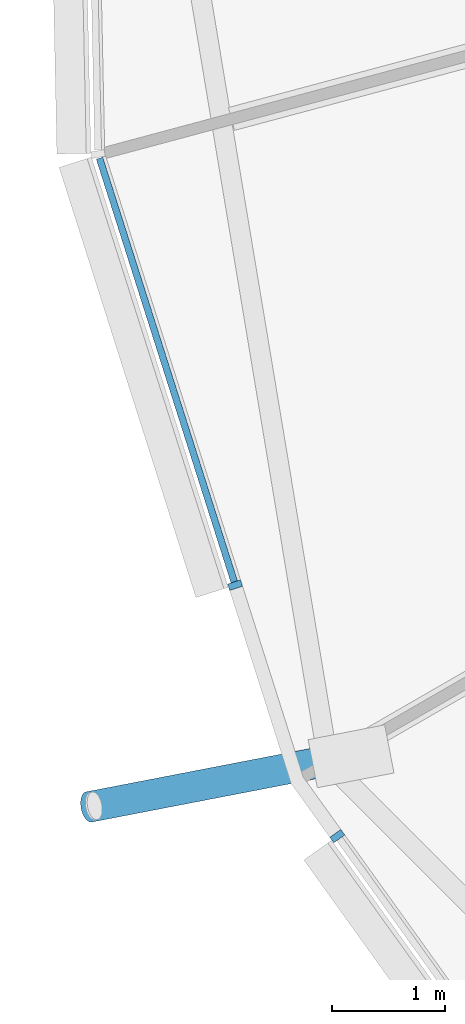
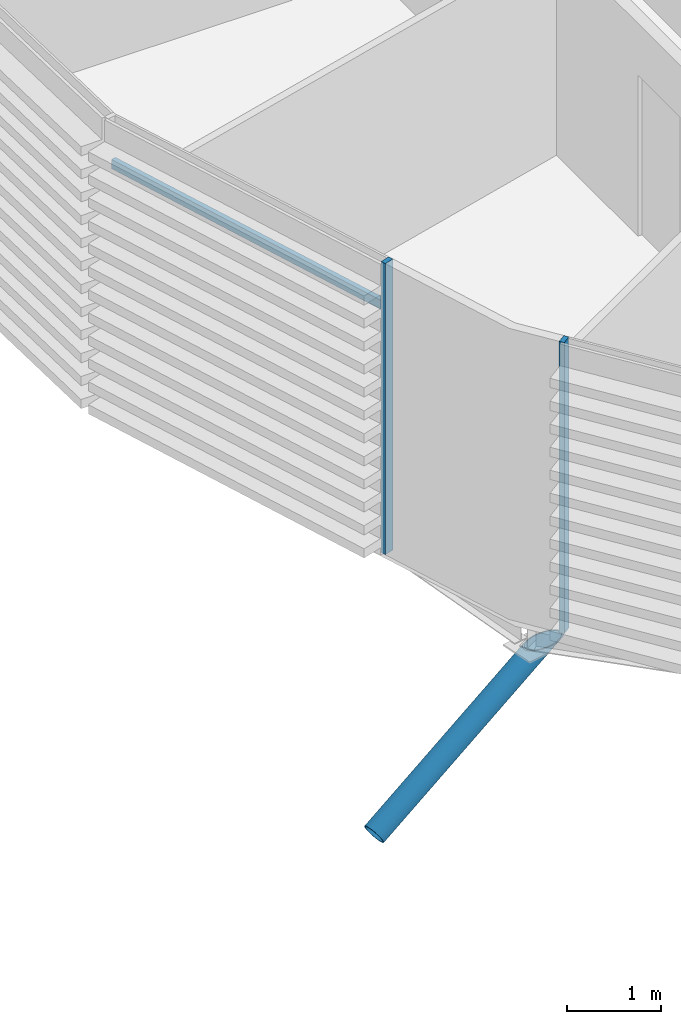
# One storey, part 7 of 37: 4 members, 1 element without a shape of its own.
"""IFC4 building model written with IfcOpenShell, lengths in metres."""

from ifc_helpers import new_model, si_unit, direction, frame, origin, origin_2d, place, context, subcontext, project, spatial, rectangle, hollow_circle, extrude, clip, halfspace, material, material_profile, profile_set, type_object, element, aggregate, save


model = new_model("IFC4")

# Units and contexts
model_context = context("Model", 3, precision=1e-05, world=origin(), true_north=direction((0.0, 1.0)))
body_context = subcontext(model_context, "Body", "Model", "MODEL_VIEW")
ifc_project = project(units=[si_unit("LENGTHUNIT", "METRE"), si_unit("AREAUNIT", "SQUARE_METRE"), si_unit("VOLUMEUNIT", "CUBIC_METRE"), si_unit("PLANEANGLEUNIT", "RADIAN"), si_unit("MASSUNIT", "GRAM", prefix="KILO")], contexts=[model_context])

# Site, building, storey
site_placement = place(None, origin())
site = spatial("IfcSite", under=ifc_project, at=site_placement, CompositionType="ELEMENT")
building_placement = place(site_placement, origin())
building = spatial("IfcBuilding", under=site, at=building_placement, Name="Rimbun Link Towers", CompositionType="ELEMENT")
storey_placement = place(building_placement, frame((0.0, 0.0, 45.199951171875)))
storey = spatial("IfcBuildingStorey", under=building, at=storey_placement, Name="L10", CompositionType="ELEMENT", Elevation=45.199951171875)

# Curtain wall, members
ifc_material_1 = material(Name="Aluminium 6063-T6 and low-iron glass", Category="aluminium")
curtain_wall_type = type_object("IfcCurtainWallType", Name="CW1 unitised vision wall", PredefinedType="NOTDEFINED", material=ifc_material_1)
curtain_wall_placement = place(storey_placement, origin())
curtain_wall = element("IfcCurtainWall", 1, at=curtain_wall_placement, inside=storey, type_object=curtain_wall_type, Name="CW1 L10 T2", PredefinedType="NOTDEFINED")
ifc_material_2 = material(Name="Aluminium 6063-T6", Category="aluminium")
ifc_material_profile_1 = material_profile(ifc_material_2, rectangle(XDim=0.1201171875, YDim=0.06005859375, at=origin_2d()), Name="MULLION 60X120")
ifc_profile_set_1 = profile_set([ifc_material_profile_1], Name="Aluminium 6063-T6")
member_type_1 = type_object("IfcMemberType", Name="CW1 mullion 60X120", PredefinedType="MULLION", material=ifc_profile_set_1)
member_1_placement = place(storey_placement, frame((11.789794921875, -9.47900390625, 0.0), z_axis=(0.0, 0.0, 1.0), x_axis=(-0.952967950316, -0.303071090127, 0.0)))
member_1 = element("IfcMember", 2, at=member_1_placement, type_object=member_type_1, Name="CW1 mullion", PredefinedType="MULLION", context=body_context, shape_type="SweptSolid", body=[
    extrude(rectangle(XDim=0.1201171875, YDim=0.06005859375, at=origin_2d()), origin(), (0.0, 0.0, 1.0), 3.800048828125),
])
member_2_placement = place(storey_placement, frame((12.693603515625, -11.698486328125, 0.0), z_axis=(0.0, 0.0, 1.0), x_axis=(-0.812475373202, -0.582995512796, 0.0)))
member_2 = element("IfcMember", 3, at=member_2_placement, type_object=member_type_1, Name="CW1 mullion", PredefinedType="MULLION", context=body_context, shape_type="SweptSolid", body=[
    extrude(rectangle(XDim=0.1201171875, YDim=0.06005859375, at=origin_2d()), origin(), (0.0, 0.0, 1.0), 3.800048828125),
])
ifc_material_3 = material(Name="Aluminium 6063-T6", Category="aluminium")
ifc_material_profile_2 = material_profile(ifc_material_3, rectangle(XDim=0.06005859375, YDim=0.1201171875, at=origin_2d()), Name="TRANSOM 60X120")
ifc_profile_set_2 = profile_set([ifc_material_profile_2], Name="Aluminium 6063-T6")
member_type_2 = type_object("IfcMemberType", Name="CW1 transom 60X120", PredefinedType="USERDEFINED", material=ifc_profile_set_2)
member_3_placement = place(storey_placement, frame((11.78271484375, -9.44970703125, 3.199951171875), z_axis=(-0.303119067088, 0.952952690939, 0.0), x_axis=(-0.952952690939, -0.303119067088, 0.0)))
member_3 = element("IfcMember", 4, at=member_3_placement, type_object=member_type_2, Name="CW1 transom", ObjectType="TRANSOM", PredefinedType="USERDEFINED", context=body_context, shape_type="SweptSolid", body=[
    extrude(rectangle(XDim=0.06005859375, YDim=0.1201171875, at=origin_2d()), origin(), (0.0, 0.0, 1.0), 3.931396484375),
])
aggregate(curtain_wall, [member_1, member_2, member_3])

# Member
ifc_material_4 = material(Name="Steel S355J2H", Category="steel")
ifc_material_profile_3 = material_profile(ifc_material_4, hollow_circle(Radius=0.136474609375, WallThickness=0.012451171875, at=origin_2d()), Name="CHS 273x12.5")
ifc_profile_set_3 = profile_set([ifc_material_profile_3], Name="Steel S355J2H")
member_type_3 = type_object("IfcMemberType", Name="Floor edge link CHS 273x12.5", PredefinedType="BRACE", material=ifc_profile_set_3)
member_4_placement = place(storey_placement, frame((12.657470703125, -11.023193359375, -0.72998046875), z_axis=(-0.84148710378, -0.16249406142, -0.515262199443), x_axis=(0.189600795474, -0.981861262275, 0.0)))
element("IfcMember", 5, at=member_4_placement, inside=storey, type_object=member_type_3, Name="Floor edge link T2 L10 11", PredefinedType="BRACE", context=body_context, shape_type="Clipping", body=[
    clip(extrude(hollow_circle(Radius=0.136474609375, WallThickness=0.012451171875, at=origin_2d()), frame((0.0, 0.0, -0.473388671875)), (0.0, 0.0, 1.0), 3.039794921875), halfspace(frame((0.0, 0.0, -0.222412109375), z_axis=(0.0, 0.85703259321, -0.515262199443)), False)),
])

save(model, "model.ifc")
